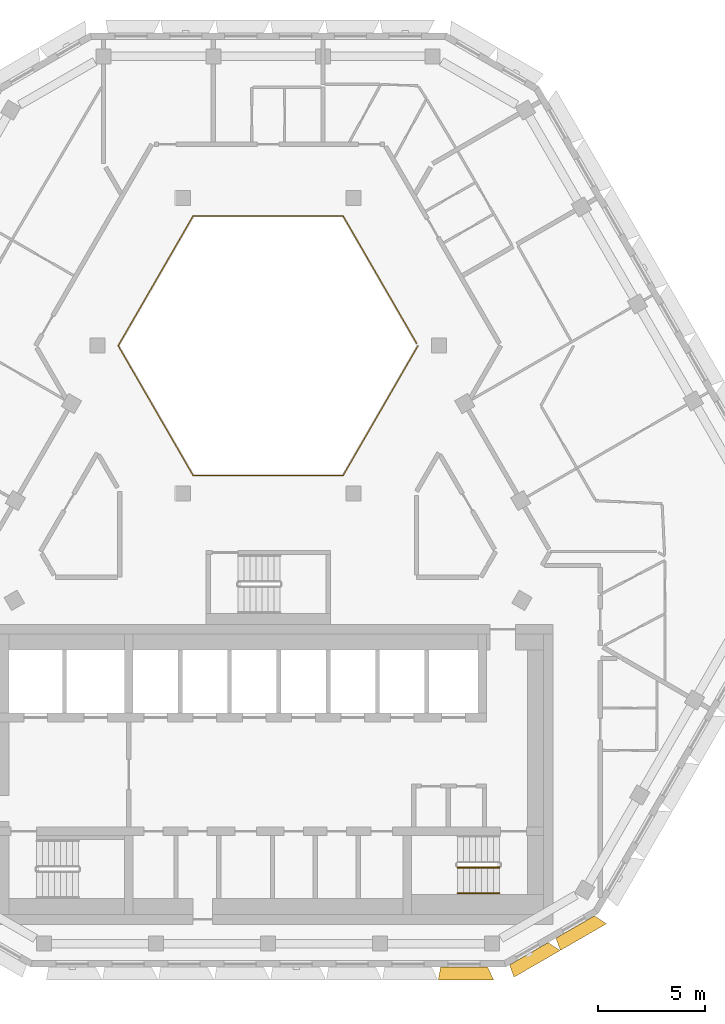
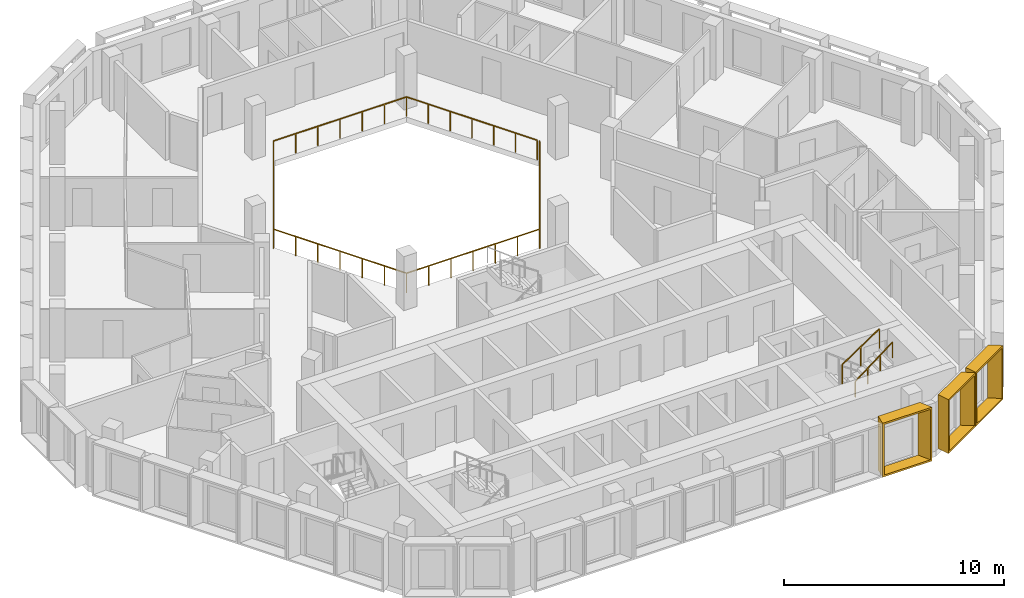
# One storey, part 14 of 16: 3 railings, 3 shading devices.
"""IFC4 building model written with IfcOpenShell, lengths in metres."""

from ifc_helpers import new_model, entity, si_unit, direction, frame, origin, origin_2d, place, context, subcontext, project, spatial, rectangle, extrude, source, transform, mapped, material, type_object, type_shapes, element, save


model = new_model("IFC4")

# Units and contexts
model_context = context("Model", 3, precision=1e-05, world=origin(), true_north=direction((0.0, 1.0)))
body_context = subcontext(model_context, "Body", "Model", "MODEL_VIEW")
ifc_project = project(units=[si_unit("LENGTHUNIT", "METRE"), si_unit("AREAUNIT", "SQUARE_METRE"), si_unit("VOLUMEUNIT", "CUBIC_METRE"), si_unit("PLANEANGLEUNIT", "RADIAN"), si_unit("MASSUNIT", "GRAM", prefix="KILO")], contexts=[model_context])

# Site, building, storey
site_placement = place(None, origin())
site = spatial("IfcSite", under=ifc_project, at=site_placement, CompositionType="ELEMENT")
building_placement = place(site_placement, origin())
building = spatial("IfcBuilding", under=site, at=building_placement, Name="Beryl Residences", CompositionType="ELEMENT")
storey_placement = place(building_placement, frame((0.0, 0.0, 232.800048828125)))
storey = spatial("IfcBuildingStorey", under=building, at=storey_placement, Name="L72", CompositionType="ELEMENT", Elevation=232.800048828125)

# Railing
ifc_material_1 = material(Name="Stainless steel balustrade with glass infill", Category="steel")
railing_type_1 = type_object("IfcRailingType", Name="EG1 edge guard 1100 mm", PredefinedType="GUARDRAIL", material=ifc_material_1)
railing_1_placement = place(storey_placement, frame((6.9970703125, 8.0, 0.0)))
element("IfcRailing", 1, at=railing_1_placement, inside=storey, type_object=railing_type_1, Name="L72 atrium guard", PredefinedType="GUARDRAIL", context=body_context, shape_type="SweptSolid", body=[
    extrude(rectangle(XDim=0.048095703125, YDim=0.048095703125, at=origin_2d()), frame((0.0, 0.0, 1.076171875), z_axis=(-0.499921796684, -0.866070549782, 0.0), x_axis=(0.866070549782, -0.499921796684, 0.0)), (0.0, 0.0, 1.0), 6.9970703125),
    extrude(rectangle(XDim=0.048095703125, YDim=0.048095703125, at=origin_2d()), frame((-3.498046875, -6.06005859375, 1.076171875), z_axis=(-1.0, 0.0, 0.0), x_axis=(0.0, -1.0, 0.0)), (0.0, 0.0, 1.0), 6.998046875),
    extrude(rectangle(XDim=0.048095703125, YDim=0.048095703125, at=origin_2d()), frame((-10.49609375, -6.06005859375, 1.076171875), z_axis=(-0.499921796684, 0.866070549782, 0.0), x_axis=(-0.866070549782, -0.499921796684, 0.0)), (0.0, 0.0, 1.0), 6.9970703125),
    extrude(rectangle(XDim=0.048095703125, YDim=0.048095703125, at=origin_2d()), frame((-13.994140625, 0.0, 1.076171875), z_axis=(0.499921796684, 0.866070549782, 0.0), x_axis=(-0.866070549782, 0.499921796684, 0.0)), (0.0, 0.0, 1.0), 6.9970703125),
    extrude(rectangle(XDim=0.048095703125, YDim=0.048095703125, at=origin_2d()), frame((-10.49609375, 6.06005859375, 1.076171875), z_axis=(1.0, 0.0, 0.0), x_axis=(0.0, 1.0, 0.0)), (0.0, 0.0, 1.0), 6.998046875),
    extrude(rectangle(XDim=0.048095703125, YDim=0.048095703125, at=origin_2d()), frame((-3.498046875, 6.06005859375, 1.076171875), z_axis=(0.499919131929, -0.866072087953, 0.0), x_axis=(0.866072087953, 0.499919131929, 0.0)), (0.0, 0.0, 1.0), 6.877197265625),
    extrude(rectangle(XDim=0.0419921875, YDim=0.0419921875, at=origin_2d()), origin(), (0.0, 0.0, 1.0), 1.052001953125),
    extrude(rectangle(XDim=0.0419921875, YDim=0.0419921875, at=origin_2d()), frame((-0.5830078125, -1.010009765625, 0.0)), (0.0, 0.0, 1.0), 1.052001953125),
    extrude(rectangle(XDim=0.0419921875, YDim=0.0419921875, at=origin_2d()), frame((-1.166015625, -2.02001953125, 0.0)), (0.0, 0.0, 1.0), 1.052001953125),
    extrude(rectangle(XDim=0.0419921875, YDim=0.0419921875, at=origin_2d()), frame((-1.7490234375, -3.030029296875, 0.0)), (0.0, 0.0, 1.0), 1.052001953125),
    extrude(rectangle(XDim=0.0419921875, YDim=0.0419921875, at=origin_2d()), frame((-2.33203125, -4.0400390625, 0.0)), (0.0, 0.0, 1.0), 1.052001953125),
    extrude(rectangle(XDim=0.0419921875, YDim=0.0419921875, at=origin_2d()), frame((-2.9150390625, -5.050048828125, 0.0)), (0.0, 0.0, 1.0), 1.052001953125),
    extrude(rectangle(XDim=0.0419921875, YDim=0.0419921875, at=origin_2d()), frame((-3.498046875, -6.06005859375, 0.0)), (0.0, 0.0, 1.0), 1.052001953125),
    extrude(rectangle(XDim=0.0419921875, YDim=0.0419921875, at=origin_2d()), frame((-4.664306640625, -6.06005859375, 0.0)), (0.0, 0.0, 1.0), 1.052001953125),
    extrude(rectangle(XDim=0.0419921875, YDim=0.0419921875, at=origin_2d()), frame((-5.830810546875, -6.06005859375, 0.0)), (0.0, 0.0, 1.0), 1.052001953125),
    extrude(rectangle(XDim=0.0419921875, YDim=0.0419921875, at=origin_2d()), frame((-6.9970703125, -6.06005859375, 0.0)), (0.0, 0.0, 1.0), 1.052001953125),
    extrude(rectangle(XDim=0.0419921875, YDim=0.0419921875, at=origin_2d()), frame((-8.163330078125, -6.06005859375, 0.0)), (0.0, 0.0, 1.0), 1.052001953125),
    extrude(rectangle(XDim=0.0419921875, YDim=0.0419921875, at=origin_2d()), frame((-9.329833984375, -6.06005859375, 0.0)), (0.0, 0.0, 1.0), 1.052001953125),
    extrude(rectangle(XDim=0.0419921875, YDim=0.0419921875, at=origin_2d()), frame((-10.49609375, -6.06005859375, 0.0)), (0.0, 0.0, 1.0), 1.052001953125),
    extrude(rectangle(XDim=0.0419921875, YDim=0.0419921875, at=origin_2d()), frame((-11.0791015625, -5.050048828125, 0.0)), (0.0, 0.0, 1.0), 1.052001953125),
    extrude(rectangle(XDim=0.0419921875, YDim=0.0419921875, at=origin_2d()), frame((-11.662109375, -4.0400390625, 0.0)), (0.0, 0.0, 1.0), 1.052001953125),
    extrude(rectangle(XDim=0.0419921875, YDim=0.0419921875, at=origin_2d()), frame((-12.2451171875, -3.030029296875, 0.0)), (0.0, 0.0, 1.0), 1.052001953125),
    extrude(rectangle(XDim=0.0419921875, YDim=0.0419921875, at=origin_2d()), frame((-12.828125, -2.02001953125, 0.0)), (0.0, 0.0, 1.0), 1.052001953125),
    extrude(rectangle(XDim=0.0419921875, YDim=0.0419921875, at=origin_2d()), frame((-13.4111328125, -1.010009765625, 0.0)), (0.0, 0.0, 1.0), 1.052001953125),
    extrude(rectangle(XDim=0.0419921875, YDim=0.0419921875, at=origin_2d()), frame((-13.994140625, 0.0, 0.0)), (0.0, 0.0, 1.0), 1.052001953125),
    extrude(rectangle(XDim=0.0419921875, YDim=0.0419921875, at=origin_2d()), frame((-13.4111328125, 1.010009765625, 0.0)), (0.0, 0.0, 1.0), 1.052001953125),
    extrude(rectangle(XDim=0.0419921875, YDim=0.0419921875, at=origin_2d()), frame((-12.828125, 2.02001953125, 0.0)), (0.0, 0.0, 1.0), 1.052001953125),
    extrude(rectangle(XDim=0.0419921875, YDim=0.0419921875, at=origin_2d()), frame((-12.2451171875, 3.030029296875, 0.0)), (0.0, 0.0, 1.0), 1.052001953125),
    extrude(rectangle(XDim=0.0419921875, YDim=0.0419921875, at=origin_2d()), frame((-11.662109375, 4.0400390625, 0.0)), (0.0, 0.0, 1.0), 1.052001953125),
    extrude(rectangle(XDim=0.0419921875, YDim=0.0419921875, at=origin_2d()), frame((-11.0791015625, 5.050048828125, 0.0)), (0.0, 0.0, 1.0), 1.052001953125),
    extrude(rectangle(XDim=0.0419921875, YDim=0.0419921875, at=origin_2d()), frame((-10.49609375, 6.06005859375, 0.0)), (0.0, 0.0, 1.0), 1.052001953125),
    extrude(rectangle(XDim=0.0419921875, YDim=0.0419921875, at=origin_2d()), frame((-9.329833984375, 6.06005859375, 0.0)), (0.0, 0.0, 1.0), 1.052001953125),
    extrude(rectangle(XDim=0.0419921875, YDim=0.0419921875, at=origin_2d()), frame((-8.163330078125, 6.06005859375, 0.0)), (0.0, 0.0, 1.0), 1.052001953125),
    extrude(rectangle(XDim=0.0419921875, YDim=0.0419921875, at=origin_2d()), frame((-6.9970703125, 6.06005859375, 0.0)), (0.0, 0.0, 1.0), 1.052001953125),
    extrude(rectangle(XDim=0.0419921875, YDim=0.0419921875, at=origin_2d()), frame((-5.830810546875, 6.06005859375, 0.0)), (0.0, 0.0, 1.0), 1.052001953125),
    extrude(rectangle(XDim=0.0419921875, YDim=0.0419921875, at=origin_2d()), frame((-4.664306640625, 6.06005859375, 0.0)), (0.0, 0.0, 1.0), 1.052001953125),
    extrude(rectangle(XDim=0.0419921875, YDim=0.0419921875, at=origin_2d()), frame((-3.498046875, 6.06005859375, 0.0)), (0.0, 0.0, 1.0), 1.052001953125),
    extrude(rectangle(XDim=0.0419921875, YDim=0.0419921875, at=origin_2d()), frame((-2.925048828125, 5.0673828125, 0.0)), (0.0, 0.0, 1.0), 1.052001953125),
    extrude(rectangle(XDim=0.0419921875, YDim=0.0419921875, at=origin_2d()), frame((-2.35205078125, 4.07470703125, 0.0)), (0.0, 0.0, 1.0), 1.052001953125),
    extrude(rectangle(XDim=0.0419921875, YDim=0.0419921875, at=origin_2d()), frame((-1.779052734375, 3.08203125, 0.0)), (0.0, 0.0, 1.0), 1.052001953125),
    extrude(rectangle(XDim=0.0419921875, YDim=0.0419921875, at=origin_2d()), frame((-1.2060546875, 2.08935546875, 0.0)), (0.0, 0.0, 1.0), 1.052001953125),
    extrude(rectangle(XDim=0.0419921875, YDim=0.0419921875, at=origin_2d()), frame((-0.633056640625, 1.0966796875, 0.0)), (0.0, 0.0, 1.0), 1.052001953125),
    extrude(rectangle(XDim=0.0419921875, YDim=0.0419921875, at=origin_2d()), frame((-0.06005859375, 0.10400390625, 0.0)), (0.0, 0.0, 1.0), 1.052001953125),
])

# Shading devices
ifc_material_2 = material(Name="Aluminium pale anodised", Category="aluminium")
shading_device_type_1 = type_object("IfcShadingDeviceType", Name="FR250-60C OUTER SKIN frame 600 mm deep, splay 10/26 deg, 2500 x 3000 mm cell", PredefinedType="USERDEFINED", material=ifc_material_2)
cartesian_point_1 = entity("IfcCartesianPoint", [-1.04052734375, 0.0])
cartesian_point_2 = entity("IfcCartesianPoint", [-0.959228515625, 0.10009765625])
cartesian_point_3 = entity("IfcCartesianPoint", [-1.146240234375, 0.0])
cartesian_point_4 = entity("IfcCartesianPoint", [-1.06494140625, 0.10009765625])
shared_shape_1 = source(origin(), body_context, "Body", "SweptSolid", [
    entity("IfcExtrudedAreaSolidTapered", entity("IfcArbitraryProfileDefWithVoids", "AREA", None, entity("IfcPolyline", [cartesian_point_1, entity("IfcCartesianPoint", [1.04052734375, 0.0]), entity("IfcCartesianPoint", [1.04052734375, 3.0]), entity("IfcCartesianPoint", [-1.04052734375, 3.0]), cartesian_point_1]), [entity("IfcPolyline", [cartesian_point_2, entity("IfcCartesianPoint", [0.951416015625, 0.10009765625]), entity("IfcCartesianPoint", [0.951416015625, 2.89990234375]), entity("IfcCartesianPoint", [-0.959228515625, 2.89990234375]), cartesian_point_2])]), entity("IfcAxis2Placement3D", entity("IfcCartesianPoint", [0.0, 0.0, 0.0]), entity("IfcDirection", [0.0, 1.0, 0.0]), entity("IfcDirection", [-1.0, 0.0, 0.0])), entity("IfcDirection", [0.0, 0.0, 1.0]), 0.60009765625, entity("IfcArbitraryProfileDefWithVoids", "AREA", None, entity("IfcPolyline", [cartesian_point_3, entity("IfcCartesianPoint", [1.333251953125, 0.0]), entity("IfcCartesianPoint", [1.333251953125, 3.0]), entity("IfcCartesianPoint", [-1.146240234375, 3.0]), cartesian_point_3]), [entity("IfcPolyline", [cartesian_point_4, entity("IfcCartesianPoint", [1.244140625, 0.10009765625]), entity("IfcCartesianPoint", [1.244140625, 2.89990234375]), entity("IfcCartesianPoint", [-1.06494140625, 2.89990234375]), cartesian_point_4])])),
])
type_shapes(shading_device_type_1, [shared_shape_1])
for number, where, z_axis, x_axis, name in (
    (2, (12.16796875, -20.375, 0.0), (0.0, 0.0, 1.0), (-0.866025403784, -0.5, 0.0), "FR250-60C frame L72 S-SE 1"),
    (3, (14.33203125, -19.125, 0.0), (0.0, 0.0, 1.0), (-0.866025403784, -0.5, 0.0), "FR250-60C frame L72 S-SE 2"),
):
    element("IfcShadingDevice", number, at=place(storey_placement, frame(where, z_axis=z_axis, x_axis=x_axis)), inside=storey, type_object=shading_device_type_1, Name=name, ObjectType="OUTER SKIN", PredefinedType="USERDEFINED", context=body_context, shape_type="MappedRepresentation", body=[
        mapped(shared_shape_1, transform((0.0, 0.0, 0.0))),
    ])
ifc_material_3 = material(Name="Aluminium pale anodised", Category="aluminium")
shading_device_type_2 = type_object("IfcShadingDeviceType", Name="FR261-60C OUTER SKIN frame 600 mm deep, splay 10/26 deg, 2610 x 3000 mm cell", PredefinedType="USERDEFINED", material=ifc_material_3)
cartesian_point_5 = entity("IfcCartesianPoint", [-1.095458984375, 0.0])
cartesian_point_6 = entity("IfcCartesianPoint", [-1.01416015625, 0.10009765625])
cartesian_point_7 = entity("IfcCartesianPoint", [-1.201416015625, 0.0])
cartesian_point_8 = entity("IfcCartesianPoint", [-1.1201171875, 0.10009765625])
shared_shape_2 = source(origin(), body_context, "Body", "SweptSolid", [
    entity("IfcExtrudedAreaSolidTapered", entity("IfcArbitraryProfileDefWithVoids", "AREA", None, entity("IfcPolyline", [cartesian_point_5, entity("IfcCartesianPoint", [1.095458984375, 0.0]), entity("IfcCartesianPoint", [1.095458984375, 3.0]), entity("IfcCartesianPoint", [-1.095458984375, 3.0]), cartesian_point_5]), [entity("IfcPolyline", [cartesian_point_6, entity("IfcCartesianPoint", [1.006591796875, 0.10009765625]), entity("IfcCartesianPoint", [1.006591796875, 2.89990234375]), entity("IfcCartesianPoint", [-1.01416015625, 2.89990234375]), cartesian_point_6])]), entity("IfcAxis2Placement3D", entity("IfcCartesianPoint", [0.0, 0.0, 0.0]), entity("IfcDirection", [0.0, 1.0, 0.0]), entity("IfcDirection", [-1.0, 0.0, 0.0])), entity("IfcDirection", [0.0, 0.0, 1.0]), 0.60009765625, entity("IfcArbitraryProfileDefWithVoids", "AREA", None, entity("IfcPolyline", [cartesian_point_7, entity("IfcCartesianPoint", [1.38818359375, 0.0]), entity("IfcCartesianPoint", [1.38818359375, 3.0]), entity("IfcCartesianPoint", [-1.201416015625, 3.0]), cartesian_point_7]), [entity("IfcPolyline", [cartesian_point_8, entity("IfcCartesianPoint", [1.299072265625, 0.10009765625]), entity("IfcCartesianPoint", [1.299072265625, 2.89990234375]), entity("IfcCartesianPoint", [-1.1201171875, 2.89990234375]), cartesian_point_8])])),
])
type_shapes(shading_device_type_2, [shared_shape_2])
shading_device_placement = place(storey_placement, frame((9.14404296875, -21.0, 0.0), z_axis=(0.0, 0.0, 1.0), x_axis=(-1.0, 0.0, 0.0)))
element("IfcShadingDevice", 4, at=shading_device_placement, inside=storey, type_object=shading_device_type_2, Name="FR261-60C frame L72 S 8", ObjectType="OUTER SKIN", PredefinedType="USERDEFINED", context=body_context, shape_type="MappedRepresentation", body=[
    mapped(shared_shape_2, transform((0.0, 0.0, 0.0))),
])

# Railings
ifc_material_4 = material(Name="Stainless steel balustrade with glass infill", Category="steel")
railing_type_2 = type_object("IfcRailingType", Name="SG1 stair guard 1100 mm", PredefinedType="GUARDRAIL", material=ifc_material_4)
railing_2_placement = place(storey_placement, frame((8.840087890625, -16.35009765625, 1.6875)))
element("IfcRailing", 5, at=railing_2_placement, inside=storey, type_object=railing_type_2, Name="L72 ST-3 stair guard 3", PredefinedType="GUARDRAIL", context=body_context, shape_type="SweptSolid", body=[
    extrude(rectangle(XDim=0.048095703125, YDim=0.048095703125, at=origin_2d()), frame((0.0, 0.0, 1.076171875), z_axis=(0.830902050051, 0.0, 0.556418712142), x_axis=(0.0, 1.0, 0.0)), (0.0, 0.0, 1.0), 2.35888671875),
    extrude(rectangle(XDim=0.0419921875, YDim=0.0419921875, at=origin_2d()), origin(), (0.0, 0.0, 1.0), 1.052001953125),
    extrude(rectangle(XDim=0.0419921875, YDim=0.0419921875, at=origin_2d()), frame((0.97998046875, 0.0, 0.65625)), (0.0, 0.0, 1.0), 1.052001953125),
    extrude(rectangle(XDim=0.0419921875, YDim=0.0419921875, at=origin_2d()), frame((1.9599609375, 0.0, 1.3125)), (0.0, 0.0, 1.0), 1.052001953125),
])
ifc_material_5 = material(Name="Stainless steel handrail", Category="steel")
railing_type_3 = type_object("IfcRailingType", Name="SRL1 stair handrail 900 mm", PredefinedType="HANDRAIL", material=ifc_material_5)
railing_3_placement = place(storey_placement, frame((8.840087890625, -17.550048828125, 1.6875)))
element("IfcRailing", 6, at=railing_3_placement, inside=storey, type_object=railing_type_3, Name="L72 ST-3 stair handrail 2", PredefinedType="HANDRAIL", context=body_context, shape_type="SweptSolid", body=[
    extrude(rectangle(XDim=0.048095703125, YDim=0.048095703125, at=origin_2d()), frame((0.0, 0.0, 0.8759765625), z_axis=(0.794121922505, 0.0, 0.607758481798), x_axis=(0.0, 1.0, 0.0)), (0.0, 0.0, 1.0), 2.468017578125),
    extrude(rectangle(XDim=0.0419921875, YDim=0.0419921875, at=origin_2d()), origin(), (0.0, 0.0, 1.0), 0.851806640625),
    extrude(rectangle(XDim=0.0419921875, YDim=0.0419921875, at=origin_2d()), frame((0.6533203125, 0.0, 0.5)), (0.0, 0.0, 1.0), 0.851806640625),
    extrude(rectangle(XDim=0.0419921875, YDim=0.0419921875, at=origin_2d()), frame((1.306640625, 0.0, 1.0)), (0.0, 0.0, 1.0), 0.851806640625),
    extrude(rectangle(XDim=0.0419921875, YDim=0.0419921875, at=origin_2d()), frame((1.9599609375, 0.0, 1.5)), (0.0, 0.0, 1.0), 0.851806640625),
])

save(model, "model.ifc")
